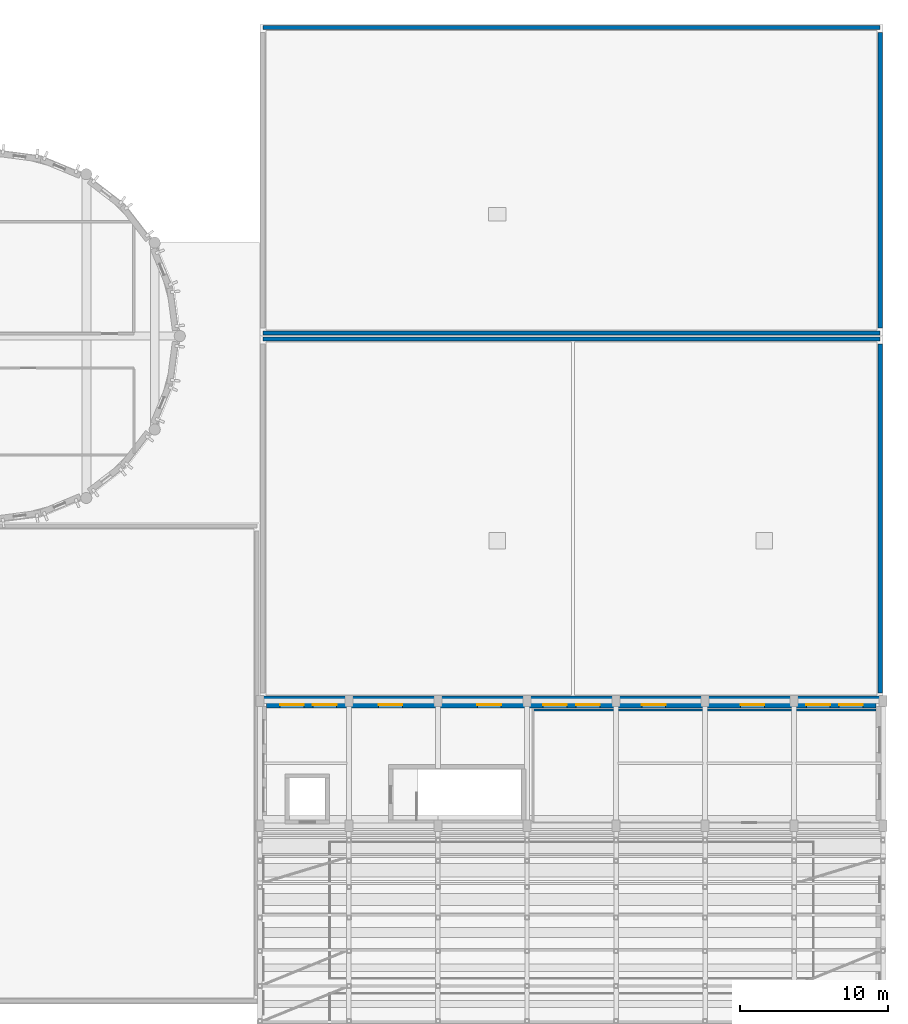
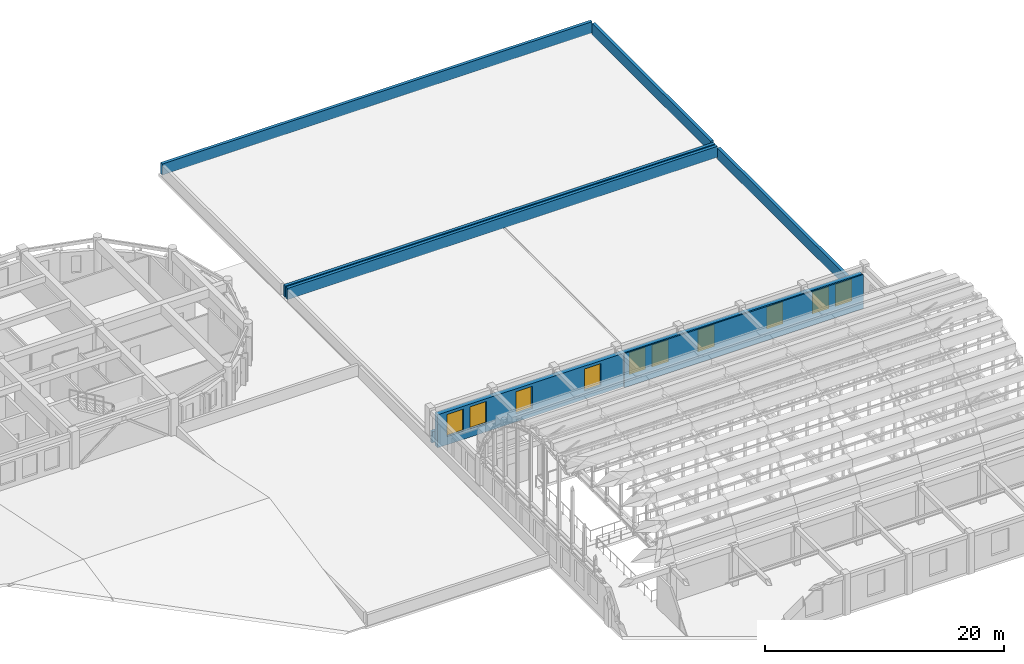
# One storey, part 27 of 46: 10 windows, 8 walls, 10 openings.
"""IFC4 building model written with IfcOpenShell, lengths in metres."""

from ifc_helpers import new_model, si_unit, direction, frame, frame_2d, origin, place, context, subcontext, project, spatial, rectangle, extrude, material, layer, layer_set, type_object, element, fill, save


model = new_model("IFC4")

# Units and contexts
model_context = context("Model", 3, precision=1e-05, world=origin(), true_north=direction((0.0, 1.0)))
body_context = subcontext(model_context, "Body", "Model", "MODEL_VIEW")
ifc_project = project(units=[si_unit("LENGTHUNIT", "METRE"), si_unit("AREAUNIT", "SQUARE_METRE"), si_unit("VOLUMEUNIT", "CUBIC_METRE"), si_unit("PLANEANGLEUNIT", "RADIAN"), si_unit("MASSUNIT", "GRAM", prefix="KILO")], contexts=[model_context])

# Site, building, storey
site_placement = place(None, origin())
site = spatial("IfcSite", under=ifc_project, at=site_placement, CompositionType="ELEMENT")
building_placement = place(site_placement, origin())
building = spatial("IfcBuilding", under=site, at=building_placement, Name="Tarnavel Promenade Courthouse", CompositionType="ELEMENT")
storey_placement = place(building_placement, frame((0.0, 0.0, 14.39990234375)))
storey = spatial("IfcBuildingStorey", under=building, at=storey_placement, Name="L04", CompositionType="ELEMENT", Elevation=14.39990234375)

# Walls
ifc_material_1 = material(Name="Concrete C35/45", Category="concrete")
ifc_layer_1 = layer(ifc_material_1, 0.2900390625)
ifc_layer_set_1 = layer_set([ifc_layer_1], Name="Concrete C35/45")
wall_type_1 = type_object("IfcWallType", Name="Concrete C35/45 WL-PAR-290 (290 mm)", PredefinedType="PARAPET", material=ifc_layer_set_1)
for number, where, z_axis, x_axis, name in (
    (1, (120.199951171875, 91.60009765625, 0.26513671875), (0.0, 0.0, 1.0), (1.0, 0.0, 0.0), "L04 Custody South Roof Parapet North 0454"),
    (2, (161.800048828125, 67.39990234375, 0.26513671875), (0.0, 0.0, 1.0), (-1.0, 0.0, 0.0), "L04 Custody South Roof Parapet South 0455"),
):
    element("IfcWall", number, at=place(storey_placement, frame(where, z_axis=z_axis, x_axis=x_axis)), inside=storey, type_object=wall_type_1, Name=name, PredefinedType="PARAPET", context=body_context, shape_type="SweptSolid", body=[
        extrude(rectangle(XDim=41.60009765625, YDim=0.2900390625, at=frame_2d((20.800048828125, 0.0))), origin(), (0.0, 0.0, 1.0), 1.135009765625),
    ])
wall_1_placement = place(storey_placement, frame((161.800048828125, 91.25, 0.26513671875), z_axis=(0.0, 0.0, 1.0), x_axis=(0.0, -1.0, 0.0)))
element("IfcWall", 3, at=wall_1_placement, inside=storey, type_object=wall_type_1, Name="L04 Custody South Roof Parapet East 0457", PredefinedType="PARAPET", context=body_context, shape_type="SweptSolid", body=[
    extrude(rectangle(XDim=23.5, YDim=0.2900390625, at=frame_2d((11.75, 0.0))), origin(), (0.0, 0.0, 1.0), 1.135009765625),
])
for number, where, z_axis, x_axis, name in (
    (4, (120.199951171875, 112.60009765625, 0.26513671875), (0.0, 0.0, 1.0), (1.0, 0.0, 0.0), "L04 Custody North Roof Parapet North 0458"),
    (5, (161.800048828125, 92.0, 0.26513671875), (0.0, 0.0, 1.0), (-1.0, 0.0, 0.0), "L04 Custody North Roof Parapet South 0459"),
):
    element("IfcWall", number, at=place(storey_placement, frame(where, z_axis=z_axis, x_axis=x_axis)), inside=storey, type_object=wall_type_1, Name=name, PredefinedType="PARAPET", context=body_context, shape_type="SweptSolid", body=[
        extrude(rectangle(XDim=41.60009765625, YDim=0.2900390625, at=frame_2d((20.800048828125, 0.0))), origin(), (0.0, 0.0, 1.0), 1.135009765625),
    ])
wall_2_placement = place(storey_placement, frame((161.800048828125, 112.25, 0.26513671875), z_axis=(0.0, 0.0, 1.0), x_axis=(0.0, -1.0, 0.0)))
element("IfcWall", 6, at=wall_2_placement, inside=storey, type_object=wall_type_1, Name="L04 Custody North Roof Parapet East 0461", PredefinedType="PARAPET", context=body_context, shape_type="SweptSolid", body=[
    extrude(rectangle(XDim=19.89990234375, YDim=0.2900390625, at=frame_2d((9.949951171875, 0.0))), origin(), (0.0, 0.0, 1.0), 1.135009765625),
])

# Wall, openings, windows
ifc_material_2 = material(Name="Limestone Ashlar Faced Insulated Brick Masonry", Category="masonry")
ifc_layer_2 = layer(ifc_material_2, 0.43994140625)
ifc_layer_set_2 = layer_set([ifc_layer_2], Name="Limestone Ashlar Faced Insulated Brick Masonry")
wall_type_2 = type_object("IfcWallType", Name="Limestone Ashlar Faced Insulated Brick Masonry WL-EXT-440 (440 mm)", PredefinedType="STANDARD", material=ifc_layer_set_2)
wall_3_placement = place(storey_placement, frame((120.451904296875, 66.9599609375, 0.0), z_axis=(0.0, 0.0, 1.0), x_axis=(1.0, 0.0, 0.0)))
wall_3 = element("IfcWall", 7, at=wall_3_placement, inside=storey, type_object=wall_type_2, Name="L04 Ceremonial Pavilion L04 North Facade 0444", PredefinedType="STANDARD", context=body_context, shape_type="SweptSolid", body=[
    extrude(rectangle(XDim=41.076171875, YDim=0.43994140625, at=frame_2d((20.5380859375, 0.0))), origin(), (0.0, 0.0, 1.0), 3.39013671875),
])
opening_1_placement = place(wall_3_placement, frame((0.90625, 0.0, 0.85009765625)))
opening_1 = element("IfcOpeningElement", 8, at=opening_1_placement, cuts=wall_3, Name="Opening W-10", PredefinedType="OPENING", context=body_context, shape_type="SweptSolid", body=[
    extrude(rectangle(XDim=1.60009765625, YDim=2.25, at=frame_2d((0.800048828125, 1.125))), frame((0.0, 0.22998046875, 0.0), z_axis=(0.0, -1.0, 0.0), x_axis=(1.0, 0.0, 0.0)), (0.0, 0.0, 1.0), 0.4599609375),
])
opening_2_placement = place(wall_3_placement, frame((3.123046875, 0.0, 0.85009765625)))
opening_2 = element("IfcOpeningElement", 9, at=opening_2_placement, cuts=wall_3, Name="Opening W-10", PredefinedType="OPENING", context=body_context, shape_type="SweptSolid", body=[
    extrude(rectangle(XDim=1.60009765625, YDim=2.25, at=frame_2d((0.800048828125, 1.125))), frame((0.0, 0.22998046875, 0.0), z_axis=(0.0, -1.0, 0.0), x_axis=(1.0, 0.0, 0.0)), (0.0, 0.0, 1.0), 0.4599609375),
])
opening_3_placement = place(wall_3_placement, frame((7.556396484375, 0.0, 0.85009765625)))
opening_3 = element("IfcOpeningElement", 10, at=opening_3_placement, cuts=wall_3, Name="Opening W-10", PredefinedType="OPENING", context=body_context, shape_type="SweptSolid", body=[
    extrude(rectangle(XDim=1.60009765625, YDim=2.25, at=frame_2d((0.800048828125, 1.125))), frame((0.0, 0.22998046875, 0.0), z_axis=(0.0, -1.0, 0.0), x_axis=(1.0, 0.0, 0.0)), (0.0, 0.0, 1.0), 0.4599609375),
])
opening_4_placement = place(wall_3_placement, frame((14.206298828125, 0.0, 0.85009765625)))
opening_4 = element("IfcOpeningElement", 11, at=opening_4_placement, cuts=wall_3, Name="Opening W-10", PredefinedType="OPENING", context=body_context, shape_type="SweptSolid", body=[
    extrude(rectangle(XDim=1.60009765625, YDim=2.25, at=frame_2d((0.800048828125, 1.125))), frame((0.0, 0.22998046875, 0.0), z_axis=(0.0, -1.0, 0.0), x_axis=(1.0, 0.0, 0.0)), (0.0, 0.0, 1.0), 0.4599609375),
])
opening_5_placement = place(wall_3_placement, frame((18.6396484375, 0.0, 0.85009765625)))
opening_5 = element("IfcOpeningElement", 12, at=opening_5_placement, cuts=wall_3, Name="Opening W-10", PredefinedType="OPENING", context=body_context, shape_type="SweptSolid", body=[
    extrude(rectangle(XDim=1.60009765625, YDim=2.25, at=frame_2d((0.800048828125, 1.125))), frame((0.0, 0.22998046875, 0.0), z_axis=(0.0, -1.0, 0.0), x_axis=(1.0, 0.0, 0.0)), (0.0, 0.0, 1.0), 0.4599609375),
])
opening_6_placement = place(wall_3_placement, frame((20.856201171875, 0.0, 0.85009765625)))
opening_6 = element("IfcOpeningElement", 13, at=opening_6_placement, cuts=wall_3, Name="Opening W-10", PredefinedType="OPENING", context=body_context, shape_type="SweptSolid", body=[
    extrude(rectangle(XDim=1.60009765625, YDim=2.25, at=frame_2d((0.800048828125, 1.125))), frame((0.0, 0.22998046875, 0.0), z_axis=(0.0, -1.0, 0.0), x_axis=(1.0, 0.0, 0.0)), (0.0, 0.0, 1.0), 0.4599609375),
])
opening_7_placement = place(wall_3_placement, frame((25.289794921875, 0.0, 0.85009765625)))
opening_7 = element("IfcOpeningElement", 14, at=opening_7_placement, cuts=wall_3, Name="Opening W-10", PredefinedType="OPENING", context=body_context, shape_type="SweptSolid", body=[
    extrude(rectangle(XDim=1.60009765625, YDim=2.25, at=frame_2d((0.800048828125, 1.125))), frame((0.0, 0.22998046875, 0.0), z_axis=(0.0, -1.0, 0.0), x_axis=(1.0, 0.0, 0.0)), (0.0, 0.0, 1.0), 0.4599609375),
])
opening_8_placement = place(wall_3_placement, frame((31.939697265625, 0.0, 0.85009765625)))
opening_8 = element("IfcOpeningElement", 15, at=opening_8_placement, cuts=wall_3, Name="Opening W-10", PredefinedType="OPENING", context=body_context, shape_type="SweptSolid", body=[
    extrude(rectangle(XDim=1.60009765625, YDim=2.25, at=frame_2d((0.800048828125, 1.125))), frame((0.0, 0.22998046875, 0.0), z_axis=(0.0, -1.0, 0.0), x_axis=(1.0, 0.0, 0.0)), (0.0, 0.0, 1.0), 0.4599609375),
])
opening_9_placement = place(wall_3_placement, frame((36.373046875, 0.0, 0.85009765625)))
opening_9 = element("IfcOpeningElement", 16, at=opening_9_placement, cuts=wall_3, Name="Opening W-10", PredefinedType="OPENING", context=body_context, shape_type="SweptSolid", body=[
    extrude(rectangle(XDim=1.60009765625, YDim=2.25, at=frame_2d((0.800048828125, 1.125))), frame((0.0, 0.22998046875, 0.0), z_axis=(0.0, -1.0, 0.0), x_axis=(1.0, 0.0, 0.0)), (0.0, 0.0, 1.0), 0.4599609375),
])
opening_10_placement = place(wall_3_placement, frame((38.589599609375, 0.0, 0.85009765625)))
opening_10 = element("IfcOpeningElement", 17, at=opening_10_placement, cuts=wall_3, Name="Opening W-10", PredefinedType="OPENING", context=body_context, shape_type="SweptSolid", body=[
    extrude(rectangle(XDim=1.60009765625, YDim=2.25, at=frame_2d((0.800048828125, 1.125))), frame((0.0, 0.22998046875, 0.0), z_axis=(0.0, -1.0, 0.0), x_axis=(1.0, 0.0, 0.0)), (0.0, 0.0, 1.0), 0.4599609375),
])
ifc_material_3 = material(Name="Triple Low-E Glazed Bronze-Clad Window Assembly")
window_type = type_object("IfcWindowType", Name="Triple-Glazed Bronze-Clad Timber-Aluminium WIN-PAV-1600x2250", PartitioningType="SINGLE_PANEL", PredefinedType="WINDOW", material=ifc_material_3)
window_1_placement = place(opening_1_placement, origin())
window_1 = element("IfcWindow", 18, at=window_1_placement, inside=storey, type_object=window_type, Name="L04 Exterior Window 0553", OverallHeight=2.25, OverallWidth=1.60009765625, PartitioningType="SINGLE_PANEL", PredefinedType="WINDOW", context=body_context, shape_type="SweptSolid", body=[
    extrude(rectangle(XDim=1.60009765625, YDim=2.25, at=frame_2d((0.800048828125, 1.125))), frame((0.0, 0.030029296875, 0.0), z_axis=(0.0, -1.0, 0.0), x_axis=(1.0, 0.0, 0.0)), (0.0, 0.0, 1.0), 0.06005859375),
])
fill(opening_1, window_1)
window_2_placement = place(opening_2_placement, origin())
window_2 = element("IfcWindow", 19, at=window_2_placement, inside=storey, type_object=window_type, Name="L04 Exterior Window 0554", OverallHeight=2.25, OverallWidth=1.60009765625, PartitioningType="SINGLE_PANEL", PredefinedType="WINDOW", context=body_context, shape_type="SweptSolid", body=[
    extrude(rectangle(XDim=1.60009765625, YDim=2.25, at=frame_2d((0.800048828125, 1.125))), frame((0.0, 0.030029296875, 0.0), z_axis=(0.0, -1.0, 0.0), x_axis=(1.0, 0.0, 0.0)), (0.0, 0.0, 1.0), 0.06005859375),
])
fill(opening_2, window_2)
window_3_placement = place(opening_3_placement, origin())
window_3 = element("IfcWindow", 20, at=window_3_placement, inside=storey, type_object=window_type, Name="L04 Exterior Window 0555", OverallHeight=2.25, OverallWidth=1.60009765625, PartitioningType="SINGLE_PANEL", PredefinedType="WINDOW", context=body_context, shape_type="SweptSolid", body=[
    extrude(rectangle(XDim=1.60009765625, YDim=2.25, at=frame_2d((0.800048828125, 1.125))), frame((0.0, 0.030029296875, 0.0), z_axis=(0.0, -1.0, 0.0), x_axis=(1.0, 0.0, 0.0)), (0.0, 0.0, 1.0), 0.06005859375),
])
fill(opening_3, window_3)
window_4_placement = place(opening_4_placement, origin())
window_4 = element("IfcWindow", 21, at=window_4_placement, inside=storey, type_object=window_type, Name="L04 Exterior Window 0556", OverallHeight=2.25, OverallWidth=1.60009765625, PartitioningType="SINGLE_PANEL", PredefinedType="WINDOW", context=body_context, shape_type="SweptSolid", body=[
    extrude(rectangle(XDim=1.60009765625, YDim=2.25, at=frame_2d((0.800048828125, 1.125))), frame((0.0, 0.030029296875, 0.0), z_axis=(0.0, -1.0, 0.0), x_axis=(1.0, 0.0, 0.0)), (0.0, 0.0, 1.0), 0.06005859375),
])
fill(opening_4, window_4)
window_5_placement = place(opening_5_placement, origin())
window_5 = element("IfcWindow", 22, at=window_5_placement, inside=storey, type_object=window_type, Name="L04 Exterior Window 0557", OverallHeight=2.25, OverallWidth=1.60009765625, PartitioningType="SINGLE_PANEL", PredefinedType="WINDOW", context=body_context, shape_type="SweptSolid", body=[
    extrude(rectangle(XDim=1.60009765625, YDim=2.25, at=frame_2d((0.800048828125, 1.125))), frame((0.0, 0.030029296875, 0.0), z_axis=(0.0, -1.0, 0.0), x_axis=(1.0, 0.0, 0.0)), (0.0, 0.0, 1.0), 0.06005859375),
])
fill(opening_5, window_5)
window_6_placement = place(opening_6_placement, origin())
window_6 = element("IfcWindow", 23, at=window_6_placement, inside=storey, type_object=window_type, Name="L04 Exterior Window 0558", OverallHeight=2.25, OverallWidth=1.60009765625, PartitioningType="SINGLE_PANEL", PredefinedType="WINDOW", context=body_context, shape_type="SweptSolid", body=[
    extrude(rectangle(XDim=1.60009765625, YDim=2.25, at=frame_2d((0.800048828125, 1.125))), frame((0.0, 0.030029296875, 0.0), z_axis=(0.0, -1.0, 0.0), x_axis=(1.0, 0.0, 0.0)), (0.0, 0.0, 1.0), 0.06005859375),
])
fill(opening_6, window_6)
window_7_placement = place(opening_7_placement, origin())
window_7 = element("IfcWindow", 24, at=window_7_placement, inside=storey, type_object=window_type, Name="L04 Exterior Window 0559", OverallHeight=2.25, OverallWidth=1.60009765625, PartitioningType="SINGLE_PANEL", PredefinedType="WINDOW", context=body_context, shape_type="SweptSolid", body=[
    extrude(rectangle(XDim=1.60009765625, YDim=2.25, at=frame_2d((0.800048828125, 1.125))), frame((0.0, 0.030029296875, 0.0), z_axis=(0.0, -1.0, 0.0), x_axis=(1.0, 0.0, 0.0)), (0.0, 0.0, 1.0), 0.06005859375),
])
fill(opening_7, window_7)
window_8_placement = place(opening_8_placement, origin())
window_8 = element("IfcWindow", 25, at=window_8_placement, inside=storey, type_object=window_type, Name="L04 Exterior Window 0560", OverallHeight=2.25, OverallWidth=1.60009765625, PartitioningType="SINGLE_PANEL", PredefinedType="WINDOW", context=body_context, shape_type="SweptSolid", body=[
    extrude(rectangle(XDim=1.60009765625, YDim=2.25, at=frame_2d((0.800048828125, 1.125))), frame((0.0, 0.030029296875, 0.0), z_axis=(0.0, -1.0, 0.0), x_axis=(1.0, 0.0, 0.0)), (0.0, 0.0, 1.0), 0.06005859375),
])
fill(opening_8, window_8)
window_9_placement = place(opening_9_placement, origin())
window_9 = element("IfcWindow", 26, at=window_9_placement, inside=storey, type_object=window_type, Name="L04 Exterior Window 0561", OverallHeight=2.25, OverallWidth=1.60009765625, PartitioningType="SINGLE_PANEL", PredefinedType="WINDOW", context=body_context, shape_type="SweptSolid", body=[
    extrude(rectangle(XDim=1.60009765625, YDim=2.25, at=frame_2d((0.800048828125, 1.125))), frame((0.0, 0.030029296875, 0.0), z_axis=(0.0, -1.0, 0.0), x_axis=(1.0, 0.0, 0.0)), (0.0, 0.0, 1.0), 0.06005859375),
])
fill(opening_9, window_9)
window_10_placement = place(opening_10_placement, origin())
window_10 = element("IfcWindow", 27, at=window_10_placement, inside=storey, type_object=window_type, Name="L04 Exterior Window 0562", OverallHeight=2.25, OverallWidth=1.60009765625, PartitioningType="SINGLE_PANEL", PredefinedType="WINDOW", context=body_context, shape_type="SweptSolid", body=[
    extrude(rectangle(XDim=1.60009765625, YDim=2.25, at=frame_2d((0.800048828125, 1.125))), frame((0.0, 0.030029296875, 0.0), z_axis=(0.0, -1.0, 0.0), x_axis=(1.0, 0.0, 0.0)), (0.0, 0.0, 1.0), 0.06005859375),
])
fill(opening_10, window_10)

# Wall
ifc_material_4 = material(Name="Metal-Stud Acoustic Gypsum Partition", Category="gypsum")
ifc_layer_3 = layer(ifc_material_4, 0.135009765625)
ifc_layer_set_3 = layer_set([ifc_layer_3], Name="Metal-Stud Acoustic Gypsum Partition")
wall_type_3 = type_object("IfcWallType", Name="Metal-Stud Acoustic Gypsum Partition WL-OFF-135 (135 mm)", PredefinedType="PARTITIONING", material=ifc_layer_set_3)
wall_4_placement = place(storey_placement, frame((138.39990234375, 66.60009765625, 0.0), z_axis=(0.0, 0.0, 1.0), x_axis=(1.0, 0.0, 0.0)))
element("IfcWall", 28, at=wall_4_placement, inside=storey, type_object=wall_type_3, Name="L04 Simultaneous Interpretation and Broadcast Suite Partition 0618", PredefinedType="PARTITIONING", context=body_context, shape_type="SweptSolid", body=[
    extrude(rectangle(XDim=23.1259765625, YDim=0.135009765625, at=frame_2d((11.56298828125, 0.0))), origin(), (0.0, 0.0, 1.0), 3.489990234375),
])

save(model, "model.ifc")
